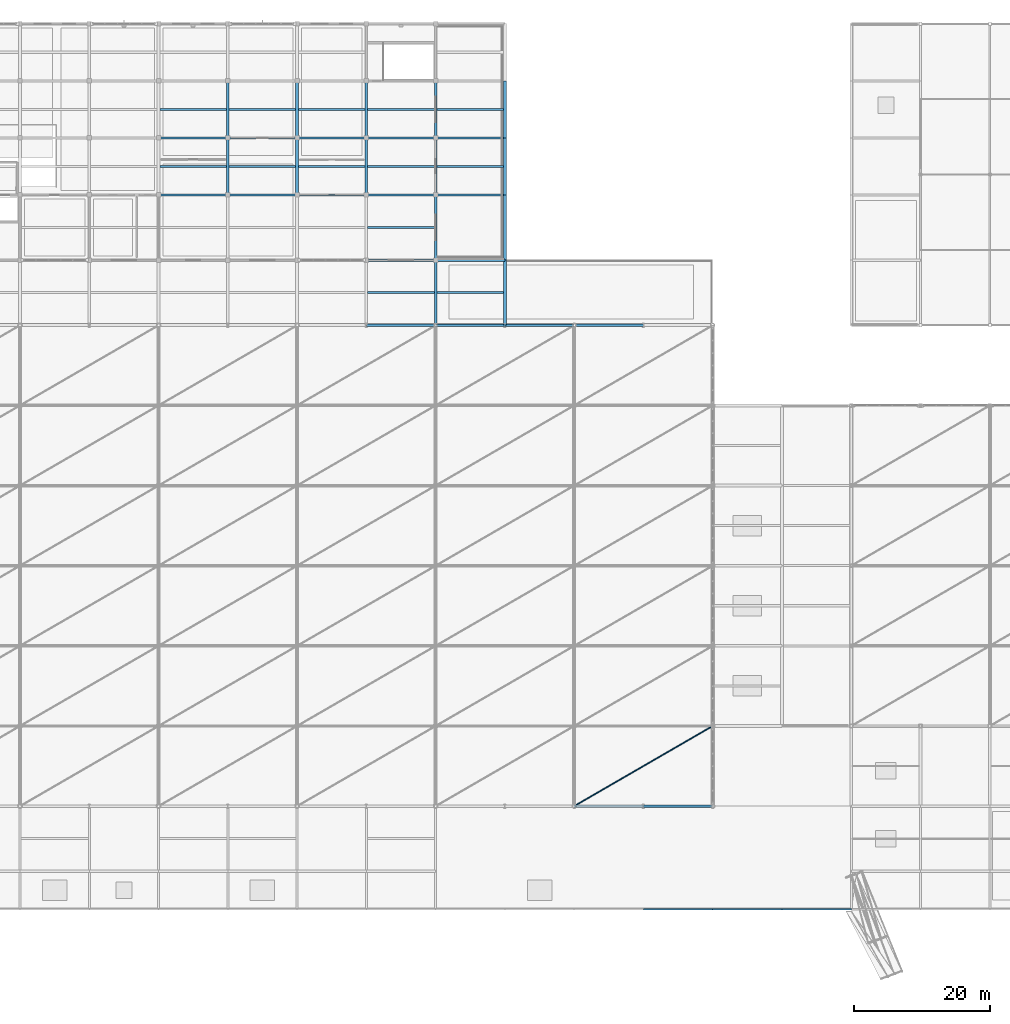
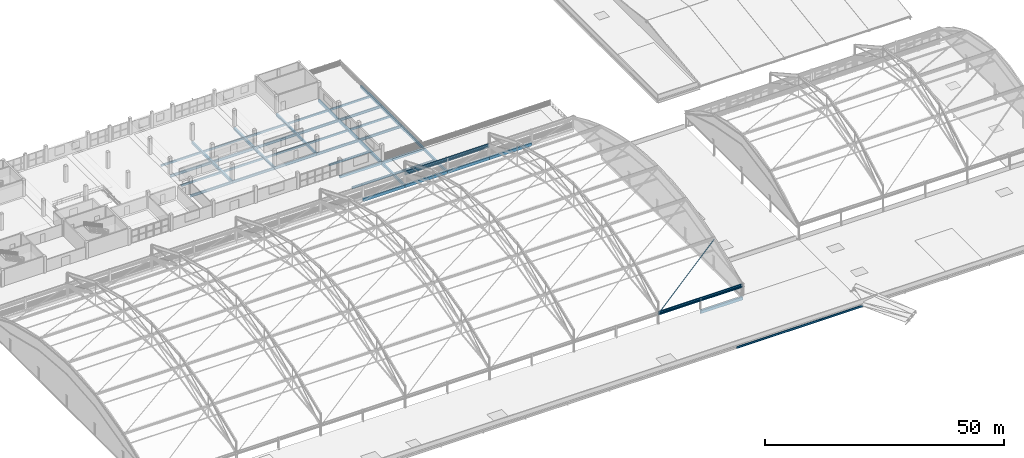
# One storey, part 45 of 135: 49 beams, 3 members.
"""IFC4 building model written with IfcOpenShell, lengths in metres."""

from ifc_helpers import new_model, si_unit, direction, frame, origin, origin_2d, place, context, subcontext, project, spatial, rectangle, hollow_circle, i_section, extrude, material, material_profile, profile_set, type_object, element, save


model = new_model("IFC4")

# Units and contexts
model_context = context("Model", 3, precision=1e-05, world=origin(), true_north=direction((0.0, 1.0)))
body_context = subcontext(model_context, "Body", "Model", "MODEL_VIEW")
ifc_project = project(units=[si_unit("LENGTHUNIT", "METRE"), si_unit("AREAUNIT", "SQUARE_METRE"), si_unit("VOLUMEUNIT", "CUBIC_METRE"), si_unit("PLANEANGLEUNIT", "RADIAN"), si_unit("MASSUNIT", "GRAM", prefix="KILO")], contexts=[model_context])

# Site, building, storey
site_placement = place(None, origin())
site = spatial("IfcSite", under=ifc_project, at=site_placement, CompositionType="ELEMENT")
building_placement = place(site_placement, origin())
building = spatial("IfcBuilding", under=site, at=building_placement, Name="Brelvane Convention Centre", CompositionType="ELEMENT")
storey_placement = place(building_placement, frame((0.0, 0.0, 15.0)))
storey = spatial("IfcBuildingStorey", under=building, at=storey_placement, Name="L03", CompositionType="ELEMENT", Elevation=15.0)

# Beams
ifc_material_1 = material(Name="Concrete M40", Category="concrete")
ifc_material_profile_1 = material_profile(ifc_material_1, rectangle(XDim=0.39990234375, YDim=0.75, at=origin_2d()), Name="RC 400x750")
ifc_profile_set_1 = profile_set([ifc_material_profile_1], Name="Concrete M40")
beam_type_1 = type_object("IfcBeamType", Name="RC Beam B-RC6 (RC 400x750)", PredefinedType="BEAM", material=ifc_profile_set_1)
for number, where, z_axis, x_axis, name in (
    (1, (91.800048828125, 99.60009765625, -0.68505859375), (1.0, 0.0, 0.0), (0.0, 1.0, 0.0), "L03 Beam 10-11/K"),
    (2, (102.0, 99.60009765625, -0.68505859375), (1.0, 0.0, 0.0), (0.0, 1.0, 0.0), "L03 Beam 11-12/K"),
    (3, (112.199951171875, 99.60009765625, -0.68505859375), (1.0, 0.0, 0.0), (0.0, 1.0, 0.0), "L03 Beam 12-13/K"),
):
    element("IfcBeam", number, at=place(storey_placement, frame(where, z_axis=z_axis, x_axis=x_axis)), inside=storey, type_object=beam_type_1, Name=name, PredefinedType="BEAM", context=body_context, shape_type="SweptSolid", body=[
        extrude(rectangle(XDim=0.39990234375, YDim=0.75, at=origin_2d()), origin(), (0.0, 0.0, 1.0), 10.199951171875),
    ])
beam_1_placement = place(storey_placement, frame((122.39990234375, 99.60009765625, -0.68505859375), z_axis=(1.0, 0.0, 0.0), x_axis=(0.0, 1.0, 0.0)))
element("IfcBeam", 4, at=beam_1_placement, inside=storey, type_object=beam_type_1, Name="L03 Beam 13-14/K", PredefinedType="BEAM", context=body_context, shape_type="SweptSolid", body=[
    extrude(rectangle(XDim=0.39990234375, YDim=0.75, at=origin_2d()), origin(), (0.0, 0.0, 1.0), 10.2001953125),
])
beam_2_placement = place(storey_placement, frame((132.60009765625, 28.800048828125, -0.675048828125), z_axis=(1.0, 0.0, 0.0), x_axis=(0.0, 1.0, 0.0)))
element("IfcBeam", 5, at=beam_2_placement, inside=storey, type_object=beam_type_1, Name="L03 Beam 14-15/D", PredefinedType="BEAM", context=body_context, shape_type="SweptSolid", body=[
    extrude(rectangle(XDim=0.39990234375, YDim=0.75, at=origin_2d()), origin(), (0.0, 0.0, 1.0), 10.199951171875),
])
ifc_material_2 = material(Name="Concrete M40", Category="concrete")
ifc_material_profile_2 = material_profile(ifc_material_2, rectangle(XDim=0.39990234375, YDim=0.64990234375, at=origin_2d()), Name="RC 400x650")
ifc_profile_set_2 = profile_set([ifc_material_profile_2], Name="Concrete M40")
beam_type_2 = type_object("IfcBeamType", Name="RC Beam B-RC7 (RC 400x650)", PredefinedType="BEAM", material=ifc_profile_set_2)
beam_3_placement = place(storey_placement, frame((71.39990234375, 118.800048828125, -0.6201171875), z_axis=(0.0, 1.0, 0.0), x_axis=(-1.0, 0.0, 0.0)))
element("IfcBeam", 6, at=beam_3_placement, inside=storey, type_object=beam_type_2, Name="L03 Girder 8/M-N", PredefinedType="BEAM", context=body_context, shape_type="SweptSolid", body=[
    extrude(rectangle(XDim=0.39990234375, YDim=0.64990234375, at=origin_2d()), origin(), (0.0, 0.0, 1.0), 8.39990234375),
])
beam_4_placement = place(storey_placement, frame((71.39990234375, 127.199951171875, -0.6201171875), z_axis=(0.0, 1.0, 0.0), x_axis=(-1.0, 0.0, 0.0)))
element("IfcBeam", 7, at=beam_4_placement, inside=storey, type_object=beam_type_2, Name="L03 Girder 8/N-P", PredefinedType="BEAM", context=body_context, shape_type="SweptSolid", body=[
    extrude(rectangle(XDim=0.39990234375, YDim=0.64990234375, at=origin_2d()), origin(), (0.0, 0.0, 1.0), 8.400146484375),
])
beam_5_placement = place(storey_placement, frame((81.60009765625, 118.800048828125, -0.6201171875), z_axis=(0.0, 1.0, 0.0), x_axis=(-1.0, 0.0, 0.0)))
element("IfcBeam", 8, at=beam_5_placement, inside=storey, type_object=beam_type_2, Name="L03 Girder 9/M-N", PredefinedType="BEAM", context=body_context, shape_type="SweptSolid", body=[
    extrude(rectangle(XDim=0.39990234375, YDim=0.64990234375, at=origin_2d()), origin(), (0.0, 0.0, 1.0), 8.39990234375),
])
beam_6_placement = place(storey_placement, frame((81.60009765625, 127.199951171875, -0.6201171875), z_axis=(0.0, 1.0, 0.0), x_axis=(-1.0, 0.0, 0.0)))
element("IfcBeam", 9, at=beam_6_placement, inside=storey, type_object=beam_type_2, Name="L03 Girder 9/N-P", PredefinedType="BEAM", context=body_context, shape_type="SweptSolid", body=[
    extrude(rectangle(XDim=0.39990234375, YDim=0.64990234375, at=origin_2d()), origin(), (0.0, 0.0, 1.0), 8.400146484375),
])
beam_7_placement = place(storey_placement, frame((91.800048828125, 118.800048828125, -0.6201171875), z_axis=(0.0, 1.0, 0.0), x_axis=(-1.0, 0.0, 0.0)))
element("IfcBeam", 10, at=beam_7_placement, inside=storey, type_object=beam_type_2, Name="L03 Girder 10/M-N", PredefinedType="BEAM", context=body_context, shape_type="SweptSolid", body=[
    extrude(rectangle(XDim=0.39990234375, YDim=0.64990234375, at=origin_2d()), origin(), (0.0, 0.0, 1.0), 8.39990234375),
])
beam_8_placement = place(storey_placement, frame((91.800048828125, 127.199951171875, -0.6201171875), z_axis=(0.0, 1.0, 0.0), x_axis=(-1.0, 0.0, 0.0)))
element("IfcBeam", 11, at=beam_8_placement, inside=storey, type_object=beam_type_2, Name="L03 Girder 10/N-P", PredefinedType="BEAM", context=body_context, shape_type="SweptSolid", body=[
    extrude(rectangle(XDim=0.39990234375, YDim=0.64990234375, at=origin_2d()), origin(), (0.0, 0.0, 1.0), 8.400146484375),
])
beam_9_placement = place(storey_placement, frame((102.0, 99.60009765625, -0.635009765625), z_axis=(0.0, 1.0, 0.0), x_axis=(-1.0, 0.0, 0.0)))
element("IfcBeam", 12, at=beam_9_placement, inside=storey, type_object=beam_type_2, Name="L03 Girder 11/K-L", PredefinedType="BEAM", context=body_context, shape_type="SweptSolid", body=[
    extrude(rectangle(XDim=0.39990234375, YDim=0.64990234375, at=origin_2d()), origin(), (0.0, 0.0, 1.0), 9.599853515625),
])
beam_10_placement = place(storey_placement, frame((102.0, 109.199951171875, -0.635009765625), z_axis=(0.0, 1.0, 0.0), x_axis=(-1.0, 0.0, 0.0)))
element("IfcBeam", 13, at=beam_10_placement, inside=storey, type_object=beam_type_2, Name="L03 Girder 11/L-M", PredefinedType="BEAM", context=body_context, shape_type="SweptSolid", body=[
    extrude(rectangle(XDim=0.39990234375, YDim=0.64990234375, at=origin_2d()), origin(), (0.0, 0.0, 1.0), 9.60009765625),
])
beam_11_placement = place(storey_placement, frame((102.0, 118.800048828125, -0.635009765625), z_axis=(0.0, 1.0, 0.0), x_axis=(-1.0, 0.0, 0.0)))
element("IfcBeam", 14, at=beam_11_placement, inside=storey, type_object=beam_type_2, Name="L03 Girder 11/M-N", PredefinedType="BEAM", context=body_context, shape_type="SweptSolid", body=[
    extrude(rectangle(XDim=0.39990234375, YDim=0.64990234375, at=origin_2d()), origin(), (0.0, 0.0, 1.0), 8.39990234375),
])
beam_12_placement = place(storey_placement, frame((102.0, 127.199951171875, -0.635009765625), z_axis=(0.0, 1.0, 0.0), x_axis=(-1.0, 0.0, 0.0)))
element("IfcBeam", 15, at=beam_12_placement, inside=storey, type_object=beam_type_2, Name="L03 Girder 11/N-P", PredefinedType="BEAM", context=body_context, shape_type="SweptSolid", body=[
    extrude(rectangle(XDim=0.39990234375, YDim=0.64990234375, at=origin_2d()), origin(), (0.0, 0.0, 1.0), 8.400146484375),
])
beam_13_placement = place(storey_placement, frame((112.199951171875, 99.60009765625, -0.635009765625), z_axis=(0.0, 1.0, 0.0), x_axis=(-1.0, 0.0, 0.0)))
element("IfcBeam", 16, at=beam_13_placement, inside=storey, type_object=beam_type_2, Name="L03 Girder 12/K-L", PredefinedType="BEAM", context=body_context, shape_type="SweptSolid", body=[
    extrude(rectangle(XDim=0.39990234375, YDim=0.64990234375, at=origin_2d()), origin(), (0.0, 0.0, 1.0), 9.599853515625),
])
beam_14_placement = place(storey_placement, frame((112.199951171875, 109.199951171875, -0.635009765625), z_axis=(0.0, 1.0, 0.0), x_axis=(-1.0, 0.0, 0.0)))
element("IfcBeam", 17, at=beam_14_placement, inside=storey, type_object=beam_type_2, Name="L03 Girder 12/L-M", PredefinedType="BEAM", context=body_context, shape_type="SweptSolid", body=[
    extrude(rectangle(XDim=0.39990234375, YDim=0.64990234375, at=origin_2d()), origin(), (0.0, 0.0, 1.0), 9.60009765625),
])
beam_15_placement = place(storey_placement, frame((112.199951171875, 118.800048828125, -0.635009765625), z_axis=(0.0, 1.0, 0.0), x_axis=(-1.0, 0.0, 0.0)))
element("IfcBeam", 18, at=beam_15_placement, inside=storey, type_object=beam_type_2, Name="L03 Girder 12/M-N", PredefinedType="BEAM", context=body_context, shape_type="SweptSolid", body=[
    extrude(rectangle(XDim=0.39990234375, YDim=0.64990234375, at=origin_2d()), origin(), (0.0, 0.0, 1.0), 8.39990234375),
])
beam_16_placement = place(storey_placement, frame((112.199951171875, 127.199951171875, -0.635009765625), z_axis=(0.0, 1.0, 0.0), x_axis=(-1.0, 0.0, 0.0)))
element("IfcBeam", 19, at=beam_16_placement, inside=storey, type_object=beam_type_2, Name="L03 Girder 12/N-P", PredefinedType="BEAM", context=body_context, shape_type="SweptSolid", body=[
    extrude(rectangle(XDim=0.39990234375, YDim=0.64990234375, at=origin_2d()), origin(), (0.0, 0.0, 1.0), 8.400146484375),
])
ifc_material_3 = material(Name="Concrete M40", Category="concrete")
ifc_material_profile_3 = material_profile(ifc_material_3, rectangle(XDim=0.300048828125, YDim=0.5, at=origin_2d()), Name="RC 300x500")
ifc_profile_set_3 = profile_set([ifc_material_profile_3], Name="Concrete M40")
beam_type_3 = type_object("IfcBeamType", Name="RC Joist J-RC2 (RC 300x500)", PredefinedType="JOIST", material=ifc_profile_set_3)
for number, where, z_axis, x_axis, name in (
    (20, (61.39990234375, 123.0, -0.544921875), (1.0, 0.0, 0.0), (0.0, 1.0, 0.0), "L03 Secondary Joist 7-8/MN"),
    (21, (61.39990234375, 131.39990234375, -0.544921875), (1.0, 0.0, 0.0), (0.0, 1.0, 0.0), "L03 Secondary Joist 7-8/NP"),
):
    element("IfcBeam", number, at=place(storey_placement, frame(where, z_axis=z_axis, x_axis=x_axis)), inside=storey, type_object=beam_type_3, Name=name, PredefinedType="JOIST", context=body_context, shape_type="SweptSolid", body=[
        extrude(rectangle(XDim=0.300048828125, YDim=0.5, at=origin_2d()), origin(), (0.0, 0.0, 1.0), 9.800048828125),
    ])
for number, where, z_axis, x_axis, name in (
    (22, (71.60009765625, 123.0, -0.544921875), (1.0, 0.0, 0.0), (0.0, 1.0, 0.0), "L03 Secondary Joist 8-9/MN"),
    (23, (71.60009765625, 131.39990234375, -0.544921875), (1.0, 0.0, 0.0), (0.0, 1.0, 0.0), "L03 Secondary Joist 8-9/NP"),
):
    element("IfcBeam", number, at=place(storey_placement, frame(where, z_axis=z_axis, x_axis=x_axis)), inside=storey, type_object=beam_type_3, Name=name, PredefinedType="JOIST", context=body_context, shape_type="SweptSolid", body=[
        extrude(rectangle(XDim=0.300048828125, YDim=0.5, at=origin_2d()), origin(), (0.0, 0.0, 1.0), 9.7998046875),
    ])
for number, where, z_axis, x_axis, name in (
    (24, (81.800048828125, 123.0, -0.544921875), (1.0, 0.0, 0.0), (0.0, 1.0, 0.0), "L03 Secondary Joist 9-10/MN"),
    (25, (81.800048828125, 131.39990234375, -0.544921875), (1.0, 0.0, 0.0), (0.0, 1.0, 0.0), "L03 Secondary Joist 9-10/NP"),
    (26, (92.0, 104.39990234375, -0.56005859375), (1.0, 0.0, 0.0), (0.0, 1.0, 0.0), "L03 Secondary Joist 10-11/KL"),
    (27, (92.0, 114.0, -0.544921875), (1.0, 0.0, 0.0), (0.0, 1.0, 0.0), "L03 Secondary Joist 10-11/LM"),
    (28, (92.0, 123.0, -0.544921875), (1.0, 0.0, 0.0), (0.0, 1.0, 0.0), "L03 Secondary Joist 10-11/MN"),
    (29, (92.0, 131.39990234375, -0.544921875), (1.0, 0.0, 0.0), (0.0, 1.0, 0.0), "L03 Secondary Joist 10-11/NP"),
    (30, (102.199951171875, 104.39990234375, -0.56005859375), (1.0, 0.0, 0.0), (0.0, 1.0, 0.0), "L03 Secondary Joist 11-12/KL"),
    (31, (102.199951171875, 123.0, -0.56005859375), (1.0, 0.0, 0.0), (0.0, 1.0, 0.0), "L03 Secondary Joist 11-12/MN"),
    (32, (102.199951171875, 131.39990234375, -0.56005859375), (1.0, 0.0, 0.0), (0.0, 1.0, 0.0), "L03 Secondary Joist 11-12/NP"),
):
    element("IfcBeam", number, at=place(storey_placement, frame(where, z_axis=z_axis, x_axis=x_axis)), inside=storey, type_object=beam_type_3, Name=name, PredefinedType="JOIST", context=body_context, shape_type="SweptSolid", body=[
        extrude(rectangle(XDim=0.300048828125, YDim=0.5, at=origin_2d()), origin(), (0.0, 0.0, 1.0), 9.800048828125),
    ])
ifc_material_4 = material(Name="Concrete M40", Category="concrete")
ifc_material_profile_4 = material_profile(ifc_material_4, rectangle(XDim=0.35009765625, YDim=0.60009765625, at=origin_2d()), Name="RC 350x600")
ifc_profile_set_4 = profile_set([ifc_material_profile_4], Name="Concrete M40")
beam_type_4 = type_object("IfcBeamType", Name="RC Spandrel SP-RC2 (RC 350x600)", PredefinedType="SPANDREL", material=ifc_profile_set_4)
for number, where, z_axis, x_axis, name in (
    (33, (91.800048828125, 109.199951171875, -0.610107421875), (1.0, 0.0, 0.0), (0.0, 1.0, 0.0), "L03 Beam 10-11/L"),
    (34, (102.0, 109.199951171875, -0.610107421875), (1.0, 0.0, 0.0), (0.0, 1.0, 0.0), "L03 Beam 11-12/L"),
):
    element("IfcBeam", number, at=place(storey_placement, frame(where, z_axis=z_axis, x_axis=x_axis)), inside=storey, type_object=beam_type_4, Name=name, PredefinedType="SPANDREL", context=body_context, shape_type="SweptSolid", body=[
        extrude(rectangle(XDim=0.35009765625, YDim=0.60009765625, at=origin_2d()), origin(), (0.0, 0.0, 1.0), 10.199951171875),
    ])
ifc_material_5 = material(Name="Steel E450 (450 MPa)", Category="steel")
ifc_material_profile_5 = material_profile(ifc_material_5, i_section(OverallWidth=0.300048828125, OverallDepth=0.89990234375, WebThickness=0.0166015625, FlangeThickness=0.031982421875, FilletRadius=0.027099609375, at=origin_2d()), Name="NPB 900x300")
ifc_profile_set_5 = profile_set([ifc_material_profile_5], Name="Steel E450 (450 MPa)")
beam_type_5 = type_object("IfcBeamType", Name="Steel Beam B-ST1 (NPB 900x300)", PredefinedType="BEAM", material=ifc_profile_set_5)
beam_17_placement = place(storey_placement, frame((122.39990234375, 28.800048828125, 2.550048828125), z_axis=(1.0, 0.0, 0.0), x_axis=(0.0, 1.0, 0.0)))
element("IfcBeam", 35, at=beam_17_placement, inside=storey, type_object=beam_type_5, Name="SF_EXH Eaves Ring Girder S-7", PredefinedType="BEAM", context=body_context, shape_type="SweptSolid", body=[
    extrude(i_section(OverallWidth=0.300048828125, OverallDepth=0.89990234375, WebThickness=0.0166015625, FlangeThickness=0.031982421875, FilletRadius=0.027099609375, at=origin_2d()), origin(), (0.0, 0.0, 1.0), 20.400146484375),
])
beam_18_placement = place(storey_placement, frame((102.0, 99.60009765625, 2.550048828125), z_axis=(1.0, 0.0, 0.0), x_axis=(0.0, 1.0, 0.0)))
element("IfcBeam", 36, at=beam_18_placement, inside=storey, type_object=beam_type_5, Name="SF_EXH Eaves Ring Girder N-6", PredefinedType="BEAM", context=body_context, shape_type="SweptSolid", body=[
    extrude(i_section(OverallWidth=0.300048828125, OverallDepth=0.89990234375, WebThickness=0.0166015625, FlangeThickness=0.031982421875, FilletRadius=0.027099609375, at=origin_2d()), origin(), (0.0, 0.0, 1.0), 20.39990234375),
])
ifc_material_6 = material(Name="Steel E350 (350 MPa)", Category="steel")
ifc_material_profile_6 = material_profile(ifc_material_6, i_section(OverallWidth=0.300048828125, OverallDepth=0.64990234375, WebThickness=0.014404296875, FlangeThickness=0.02587890625, FilletRadius=0.02392578125, at=origin_2d()), Name="NPB 650x300")
ifc_profile_set_6 = profile_set([ifc_material_profile_6], Name="Steel E350 (350 MPa)")
beam_type_6 = type_object("IfcBeamType", Name="Steel Beam B-ST4 (NPB 650x300)", PredefinedType="BEAM", material=ifc_profile_set_6)
for number, where, z_axis, x_axis, name in (
    (37, (61.199951171875, 118.800048828125, -0.6201171875), (1.0, 0.0, 0.0), (0.0, 1.0, 0.0), "L03 Beam 7-8/M"),
    (38, (61.199951171875, 127.199951171875, -0.6201171875), (1.0, 0.0, 0.0), (0.0, 1.0, 0.0), "L03 Beam 7-8/N"),
):
    element("IfcBeam", number, at=place(storey_placement, frame(where, z_axis=z_axis, x_axis=x_axis)), inside=storey, type_object=beam_type_6, Name=name, PredefinedType="BEAM", context=body_context, shape_type="SweptSolid", body=[
        extrude(i_section(OverallWidth=0.300048828125, OverallDepth=0.64990234375, WebThickness=0.014404296875, FlangeThickness=0.02587890625, FilletRadius=0.02392578125, at=origin_2d()), origin(), (0.0, 0.0, 1.0), 10.199951171875),
    ])
for number, where, z_axis, x_axis, name in (
    (39, (71.39990234375, 118.800048828125, -0.6201171875), (1.0, 0.0, 0.0), (0.0, 1.0, 0.0), "L03 Beam 8-9/M"),
    (40, (71.39990234375, 127.199951171875, -0.6201171875), (1.0, 0.0, 0.0), (0.0, 1.0, 0.0), "L03 Beam 8-9/N"),
):
    element("IfcBeam", number, at=place(storey_placement, frame(where, z_axis=z_axis, x_axis=x_axis)), inside=storey, type_object=beam_type_6, Name=name, PredefinedType="BEAM", context=body_context, shape_type="SweptSolid", body=[
        extrude(i_section(OverallWidth=0.300048828125, OverallDepth=0.64990234375, WebThickness=0.014404296875, FlangeThickness=0.02587890625, FilletRadius=0.02392578125, at=origin_2d()), origin(), (0.0, 0.0, 1.0), 10.2001953125),
    ])
for number, where, z_axis, x_axis, name in (
    (41, (81.60009765625, 118.800048828125, -0.6201171875), (1.0, 0.0, 0.0), (0.0, 1.0, 0.0), "L03 Beam 9-10/M"),
    (42, (81.60009765625, 127.199951171875, -0.6201171875), (1.0, 0.0, 0.0), (0.0, 1.0, 0.0), "L03 Beam 9-10/N"),
    (43, (91.800048828125, 118.800048828125, -0.6201171875), (1.0, 0.0, 0.0), (0.0, 1.0, 0.0), "L03 Beam 10-11/M"),
    (44, (91.800048828125, 127.199951171875, -0.6201171875), (1.0, 0.0, 0.0), (0.0, 1.0, 0.0), "L03 Beam 10-11/N"),
    (45, (102.0, 118.800048828125, -0.635009765625), (1.0, 0.0, 0.0), (0.0, 1.0, 0.0), "L03 Beam 11-12/M"),
    (46, (102.0, 127.199951171875, -0.635009765625), (1.0, 0.0, 0.0), (0.0, 1.0, 0.0), "L03 Beam 11-12/N"),
):
    element("IfcBeam", number, at=place(storey_placement, frame(where, z_axis=z_axis, x_axis=x_axis)), inside=storey, type_object=beam_type_6, Name=name, PredefinedType="BEAM", context=body_context, shape_type="SweptSolid", body=[
        extrude(i_section(OverallWidth=0.300048828125, OverallDepth=0.64990234375, WebThickness=0.014404296875, FlangeThickness=0.02587890625, FilletRadius=0.02392578125, at=origin_2d()), origin(), (0.0, 0.0, 1.0), 10.199951171875),
    ])

# Members
ifc_material_7 = material(Name="Steel E350 (350 MPa)", Category="steel")
ifc_material_profile_7 = material_profile(ifc_material_7, hollow_circle(Radius=0.109619140625, WallThickness=0.010009765625, at=origin_2d()), Name="CHS 219.1x10.0")
ifc_profile_set_7 = profile_set([ifc_material_profile_7], Name="Steel E350 (350 MPa)")
member_type_1 = type_object("IfcMemberType", Name="Steel Brace SF-DG2 (CHS 219.1x10.0)", PredefinedType="BRACE", material=ifc_profile_set_7)
member_1_placement = place(storey_placement, frame((122.39990234375, 28.800048828125, 2.340087890625), z_axis=(0.847575290674, 0.490262647041, 0.203122287195), x_axis=(-0.500700562715, 0.865620555727, 0.0)))
element("IfcMember", 47, at=member_1_placement, inside=storey, type_object=member_type_1, Name="SF_EXH Roof Diaphragm Brace PB7.1", PredefinedType="BRACE", context=body_context, shape_type="SweptSolid", body=[
    extrude(hollow_circle(Radius=0.109619140625, WallThickness=0.010009765625, at=origin_2d()), origin(), (0.0, 0.0, 1.0), 24.06884765625),
])
ifc_material_8 = material(Name="Steel E450 (450 MPa)", Category="steel")
ifc_material_profile_8 = material_profile(ifc_material_8, hollow_circle(Radius=0.177734375, WallThickness=0.01611328125, at=origin_2d()), Name="CHS 355.6x16.0")
ifc_profile_set_8 = profile_set([ifc_material_profile_8], Name="Steel E450 (450 MPa)")
member_type_2 = type_object("IfcMemberType", Name="Steel Chord SF-TC2 (CHS 355.6x16.0)", PredefinedType="CHORD", material=ifc_profile_set_8)
member_2_placement = place(storey_placement, frame((102.0, 99.60009765625, 2.340087890625), z_axis=(1.0, 0.0, 0.0), x_axis=(0.0, 1.0, 0.0)))
element("IfcMember", 48, at=member_2_placement, inside=storey, type_object=member_type_2, Name="SF_EXH Longitudinal Top Chord LT6.7", PredefinedType="CHORD", context=body_context, shape_type="SweptSolid", body=[
    extrude(hollow_circle(Radius=0.177734375, WallThickness=0.01611328125, at=origin_2d()), origin(), (0.0, 0.0, 1.0), 20.39990234375),
])
member_3_placement = place(storey_placement, frame((122.39990234375, 28.800048828125, 2.340087890625), z_axis=(1.0, 0.0, 0.0), x_axis=(0.0, 1.0, 0.0)))
element("IfcMember", 49, at=member_3_placement, inside=storey, type_object=member_type_2, Name="SF_EXH Longitudinal Top Chord LT7.1", PredefinedType="CHORD", context=body_context, shape_type="SweptSolid", body=[
    extrude(hollow_circle(Radius=0.177734375, WallThickness=0.01611328125, at=origin_2d()), origin(), (0.0, 0.0, 1.0), 20.400146484375),
])

# Beams
ifc_material_9 = material(Name="Steel E350 (350 MPa)", Category="steel")
ifc_material_profile_9 = material_profile(ifc_material_9, i_section(OverallWidth=0.25, OverallDepth=0.5, WebThickness=0.010009765625, FlangeThickness=0.0146484375, FilletRadius=0.01611328125, at=origin_2d()), Name="ISWB 500")
ifc_profile_set_9 = profile_set([ifc_material_profile_9], Name="Steel E350 (350 MPa)")
beam_type_7 = type_object("IfcBeamType", Name="Steel Spandrel SP-ST1 (ISWB 500)", PredefinedType="SPANDREL", material=ifc_profile_set_9)
for number, where, z_axis, x_axis, name in (
    (50, (132.60009765625, 13.60009765625, -0.550048828125), (1.0, 0.0, 0.0), (0.0, 1.0, 0.0), "L03 Hull Overhang Edge Spandrel 14"),
    (51, (142.800048828125, 13.60009765625, -0.550048828125), (1.0, 0.0, 0.0), (0.0, 1.0, 0.0), "L03 Hull Overhang Edge Spandrel 15"),
    (52, (153.0, 13.60009765625, -0.550048828125), (1.0, 0.0, 0.0), (0.0, 1.0, 0.0), "L03 Hull Overhang Edge Spandrel 16"),
):
    element("IfcBeam", number, at=place(storey_placement, frame(where, z_axis=z_axis, x_axis=x_axis)), inside=storey, type_object=beam_type_7, Name=name, PredefinedType="SPANDREL", context=body_context, shape_type="SweptSolid", body=[
        extrude(i_section(OverallWidth=0.25, OverallDepth=0.5, WebThickness=0.010009765625, FlangeThickness=0.0146484375, FilletRadius=0.01611328125, at=origin_2d()), origin(), (0.0, 0.0, 1.0), 10.199951171875),
    ])

save(model, "model.ifc")
